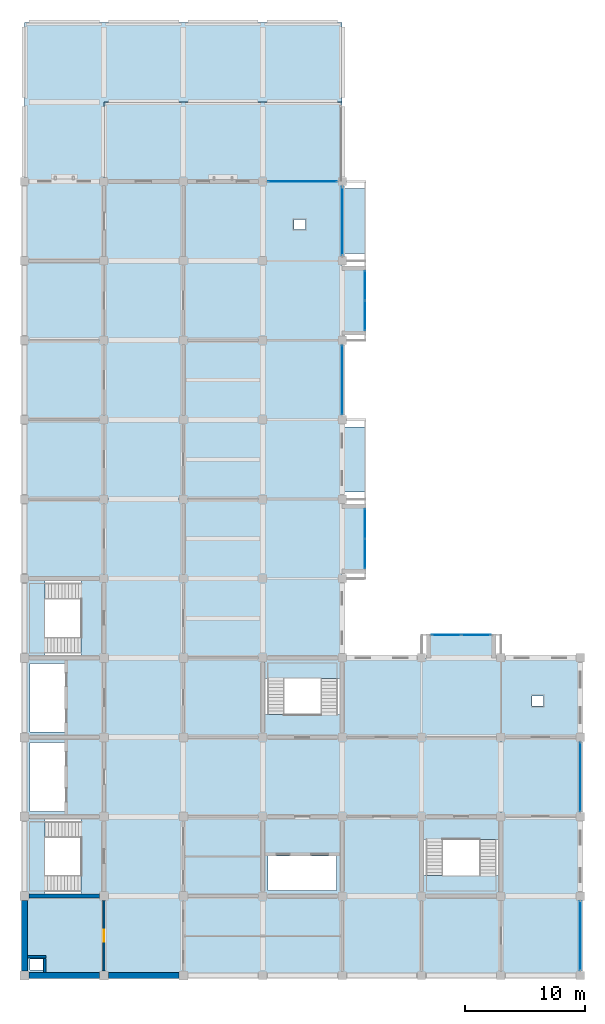
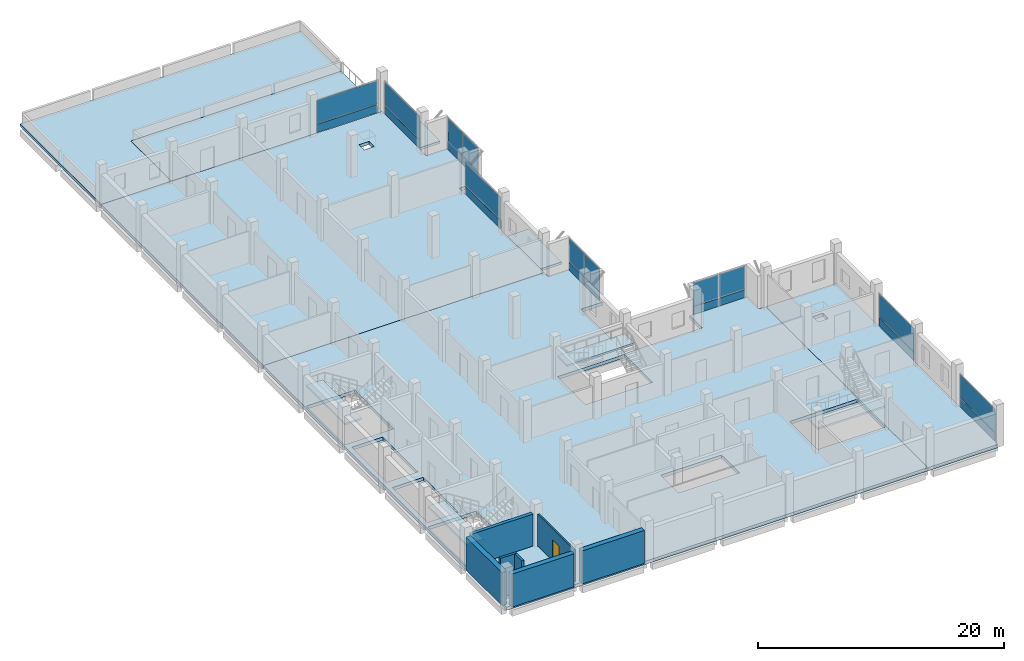
# One storey, part 6 of 13: 22 plates, 11 slabs, 7 walls, 1 door, 1 opening, 12 elements without a shape of their own.
"""IFC4 building model written with IfcOpenShell, lengths in metres."""

from ifc_helpers import new_model, si_unit, direction, frame, frame_2d, origin, origin_2d, place, context, subcontext, project, spatial, polyline, rectangle, outline, extrude, material, layer, layer_set, type_object, element, fill, aggregate, save


model = new_model("IFC4")

# Units and contexts
model_context = context("Model", 3, precision=1e-05, world=origin(), true_north=direction((0.0, 1.0)))
body_context = subcontext(model_context, "Body", "Model", "MODEL_VIEW")
ifc_project = project(units=[si_unit("LENGTHUNIT", "METRE"), si_unit("AREAUNIT", "SQUARE_METRE"), si_unit("VOLUMEUNIT", "CUBIC_METRE"), si_unit("PLANEANGLEUNIT", "RADIAN"), si_unit("MASSUNIT", "GRAM", prefix="KILO")], contexts=[model_context])

# Site, building, storey
site_placement = place(None, origin())
site = spatial("IfcSite", under=ifc_project, at=site_placement, CompositionType="ELEMENT")
building_placement = place(site_placement, origin())
building = spatial("IfcBuilding", under=site, at=building_placement, Name="Rusizi Kubbe Research Institute", CompositionType="ELEMENT")
storey_placement = place(building_placement, frame((0.0, 0.0, 35.39990234375)))
storey = spatial("IfcBuildingStorey", under=building, at=storey_placement, Name="L08", CompositionType="ELEMENT", Elevation=35.39990234375)

# Curtain wall, plate
ifc_material_1 = material(Name="Thermally Broken Aluminium and Low-E Glazing", Category="aluminium")
curtain_wall_type_1 = type_object("IfcCurtainWallType", Name="CW-11", PredefinedType="NOTDEFINED", material=ifc_material_1)
curtain_wall_1_placement = place(storey_placement, origin())
curtain_wall_1 = element("IfcCurtainWall", 1, at=curtain_wall_1_placement, inside=storey, type_object=curtain_wall_type_1, Name="Unitised Facade Curtain Wall CW-L08-V-07-00", PredefinedType="NOTDEFINED")
ifc_material_2 = material(Name="Double Low-E Solar Control Insulated Glass", Category="glass")
ifc_layer_1 = layer(ifc_material_2, 0.02392578125)
ifc_layer_set_1 = layer_set([ifc_layer_1], Name="Double Low-E Solar Control Insulated Glass")
plate_type_1 = type_object("IfcPlateType", Name="GL-01", PredefinedType="CURTAIN_PANEL", material=ifc_layer_set_1)
plate_1_placement = place(storey_placement, frame((46.199951171875, 3.300048828125, 0.93017578125), z_axis=(0.0, 0.0, 1.0), x_axis=(0.0, 1.0, 0.0)))
plate_1 = element("IfcPlate", 2, at=plate_1_placement, type_object=plate_type_1, Name="CW-11 panel 1.2", PredefinedType="CURTAIN_PANEL", context=body_context, shape_type="SweptSolid", body=[
    extrude(rectangle(XDim=5.719970703125, YDim=0.02392578125, at=origin_2d()), origin(), (0.0, 0.0, 1.0), 2.2900390625),
])

curtain_wall_2_placement = place(storey_placement, origin())
curtain_wall_2 = element("IfcCurtainWall", 3, at=curtain_wall_2_placement, inside=storey, type_object=curtain_wall_type_1, Name="Unitised Facade Curtain Wall CW-L08-V-07-02", PredefinedType="NOTDEFINED")
ifc_material_3 = material(Name="Double Low-E Solar Control Insulated Glass", Category="glass")
ifc_layer_2 = layer(ifc_material_3, 0.028076171875)
ifc_layer_set_2 = layer_set([ifc_layer_2], Name="Double Low-E Solar Control Insulated Glass")
plate_type_2 = type_object("IfcPlateType", Name="GL-02", PredefinedType="CURTAIN_PANEL", material=ifc_layer_set_2)
plate_2_placement = place(storey_placement, frame((46.199951171875, 16.5, 0.93017578125), z_axis=(0.0, 0.0, 1.0), x_axis=(0.0, 1.0, 0.0)))
plate_2 = element("IfcPlate", 4, at=plate_2_placement, type_object=plate_type_2, Name="CW-11 panel 1.2", PredefinedType="CURTAIN_PANEL", context=body_context, shape_type="SweptSolid", body=[
    extrude(rectangle(XDim=5.719970703125, YDim=0.028076171875, at=origin_2d()), origin(), (0.0, 0.0, 1.0), 2.2900390625),
])

# Curtain wall, plates
ifc_material_4 = material(Name="Thermally Broken Aluminium and Low-E Glazing", Category="aluminium")
curtain_wall_type_2 = type_object("IfcCurtainWallType", Name="CW-03", PredefinedType="NOTDEFINED", material=ifc_material_4)
curtain_wall_3_placement = place(storey_placement, origin())
curtain_wall_3 = element("IfcCurtainWall", 5, at=curtain_wall_3_placement, inside=storey, type_object=curtain_wall_type_2, Name="Cumba Glazed Curtain Wall CW-CUMBA-L08-090", PredefinedType="NOTDEFINED")
ifc_material_5 = material(Name="Double Low-E Solar Control Insulated Glass", Category="glass")
ifc_layer_3 = layer(ifc_material_5, 0.031982421875)
ifc_layer_set_3 = layer_set([ifc_layer_3], Name="Double Low-E Solar Control Insulated Glass")
plate_type_3 = type_object("IfcPlateType", Name="GL-03", PredefinedType="CURTAIN_PANEL", material=ifc_layer_set_3)
plate_3_placement = place(storey_placement, frame((28.300048828125, 35.05615234375, 0.9326171875), z_axis=(0.0, 0.0, 1.0), x_axis=(0.0, 1.0, 0.0)))
plate_3 = element("IfcPlate", 6, at=plate_3_placement, type_object=plate_type_3, Name="CW-03 panel 1.2", PredefinedType="CURTAIN_PANEL", context=body_context, shape_type="SweptSolid", body=[
    extrude(rectangle(XDim=2.427490234375, YDim=0.031982421875, at=origin_2d()), origin(), (0.0, 0.0, 1.0), 2.282470703125),
])
plate_4_placement = place(storey_placement, frame((28.300048828125, 37.543701171875, 0.9326171875), z_axis=(0.0, 0.0, 1.0), x_axis=(0.0, 1.0, 0.0)))
plate_4 = element("IfcPlate", 7, at=plate_4_placement, type_object=plate_type_3, Name="CW-03 panel 2.2", PredefinedType="CURTAIN_PANEL", context=body_context, shape_type="SweptSolid", body=[
    extrude(rectangle(XDim=2.427490234375, YDim=0.031982421875, at=origin_2d()), origin(), (0.0, 0.0, 1.0), 2.282470703125),
])

# Curtain wall, plate
curtain_wall_4_placement = place(storey_placement, origin())
curtain_wall_4 = element("IfcCurtainWall", 8, at=curtain_wall_4_placement, inside=storey, type_object=curtain_wall_type_1, Name="Unitised Facade Curtain Wall CW-L08-V-04-07", PredefinedType="NOTDEFINED")
ifc_material_6 = material(Name="Double Low-E Solar Control Insulated Glass", Category="glass")
ifc_layer_4 = layer(ifc_material_6, 0.035888671875)
ifc_layer_set_4 = layer_set([ifc_layer_4], Name="Double Low-E Solar Control Insulated Glass")
plate_type_4 = type_object("IfcPlateType", Name="GL-04", PredefinedType="CURTAIN_PANEL", material=ifc_layer_set_4)
plate_5_placement = place(storey_placement, frame((26.39990234375, 49.5, 0.93505859375), z_axis=(0.0, 0.0, 1.0), x_axis=(0.0, 1.0, 0.0)))
plate_5 = element("IfcPlate", 9, at=plate_5_placement, type_object=plate_type_4, Name="CW-11 panel 1.2", PredefinedType="CURTAIN_PANEL", context=body_context, shape_type="SweptSolid", body=[
    extrude(rectangle(XDim=5.719970703125, YDim=0.035888671875, at=origin_2d()), origin(), (0.0, 0.0, 1.0), 2.27490234375),
])

# Curtain wall, plates
curtain_wall_5_placement = place(storey_placement, origin())
curtain_wall_5 = element("IfcCurtainWall", 10, at=curtain_wall_5_placement, inside=storey, type_object=curtain_wall_type_2, Name="Cumba Glazed Curtain Wall CW-CUMBA-L08-092", PredefinedType="NOTDEFINED")
ifc_material_7 = material(Name="Double Low-E Solar Control Insulated Glass", Category="glass")
ifc_layer_5 = layer(ifc_material_7, 0.0400390625)
ifc_layer_set_5 = layer_set([ifc_layer_5], Name="Double Low-E Solar Control Insulated Glass")
plate_type_5 = type_object("IfcPlateType", Name="GL-05", PredefinedType="CURTAIN_PANEL", material=ifc_layer_set_5)
plate_6_placement = place(storey_placement, frame((28.300048828125, 54.857421875, 0.93017578125), z_axis=(0.0, 0.0, 1.0), x_axis=(0.0, 1.0, 0.0)))
plate_6 = element("IfcPlate", 11, at=plate_6_placement, type_object=plate_type_5, Name="CW-03 panel 1.2", PredefinedType="CURTAIN_PANEL", context=body_context, shape_type="SweptSolid", body=[
    extrude(rectangle(XDim=2.419921875, YDim=0.0400390625, at=origin_2d()), origin(), (0.0, 0.0, 1.0), 2.2900390625),
])
plate_7_placement = place(storey_placement, frame((28.300048828125, 57.342529296875, 0.93017578125), z_axis=(0.0, 0.0, 1.0), x_axis=(0.0, 1.0, 0.0)))
plate_7 = element("IfcPlate", 12, at=plate_7_placement, type_object=plate_type_5, Name="CW-03 panel 2.2", PredefinedType="CURTAIN_PANEL", context=body_context, shape_type="SweptSolid", body=[
    extrude(rectangle(XDim=2.419921875, YDim=0.0400390625, at=origin_2d()), origin(), (0.0, 0.0, 1.0), 2.2900390625),
])

# Curtain wall, plate
curtain_wall_6_placement = place(storey_placement, origin())
curtain_wall_6 = element("IfcCurtainWall", 13, at=curtain_wall_6_placement, inside=storey, type_object=curtain_wall_type_1, Name="Unitised Facade Curtain Wall CW-L08-H-03-10", PredefinedType="NOTDEFINED")
ifc_material_8 = material(Name="Double Low-E Solar Control Insulated Glass", Category="glass")
ifc_layer_6 = layer(ifc_material_8, 0.0439453125)
ifc_layer_set_6 = layer_set([ifc_layer_6], Name="Double Low-E Solar Control Insulated Glass")
plate_type_6 = type_object("IfcPlateType", Name="GL-06", PredefinedType="CURTAIN_PANEL", material=ifc_layer_set_6)
plate_8_placement = place(storey_placement, frame((23.10009765625, 66.0, 0.93017578125), z_axis=(0.0, 0.0, 1.0), x_axis=(1.0, 0.0, 0.0)))
plate_8 = element("IfcPlate", 14, at=plate_8_placement, type_object=plate_type_6, Name="CW-11 panel 1.2", PredefinedType="CURTAIN_PANEL", context=body_context, shape_type="SweptSolid", body=[
    extrude(rectangle(XDim=5.699951171875, YDim=0.0439453125, at=origin_2d()), origin(), (0.0, 0.0, 1.0), 2.2900390625),
])

curtain_wall_7_placement = place(storey_placement, origin())
curtain_wall_7 = element("IfcCurtainWall", 15, at=curtain_wall_7_placement, inside=storey, type_object=curtain_wall_type_1, Name="Unitised Facade Curtain Wall CW-L08-V-04-09", PredefinedType="NOTDEFINED")
ifc_material_9 = material(Name="Double Low-E Solar Control Insulated Glass", Category="glass")
ifc_layer_7 = layer(ifc_material_9, 0.048095703125)
ifc_layer_set_7 = layer_set([ifc_layer_7], Name="Double Low-E Solar Control Insulated Glass")
plate_type_7 = type_object("IfcPlateType", Name="GL-07", PredefinedType="CURTAIN_PANEL", material=ifc_layer_set_7)
plate_9_placement = place(storey_placement, frame((26.39990234375, 62.699951171875, 0.9326171875), z_axis=(0.0, 0.0, 1.0), x_axis=(0.0, 1.0, 0.0)))
plate_9 = element("IfcPlate", 16, at=plate_9_placement, type_object=plate_type_7, Name="CW-11 panel 1.2", PredefinedType="CURTAIN_PANEL", context=body_context, shape_type="SweptSolid", body=[
    extrude(rectangle(XDim=5.68994140625, YDim=0.048095703125, at=origin_2d()), origin(), (0.0, 0.0, 1.0), 2.282470703125),
])

# Curtain wall, plates
curtain_wall_8_placement = place(storey_placement, origin())
curtain_wall_8 = element("IfcCurtainWall", 17, at=curtain_wall_8_placement, inside=storey, type_object=curtain_wall_type_2, Name="Cumba Glazed Curtain Wall CW-CUMBA-L08-095", PredefinedType="NOTDEFINED")
ifc_material_10 = material(Name="Double Low-E Solar Control Insulated Glass", Category="glass")
ifc_layer_8 = layer(ifc_material_10, 0.052001953125)
ifc_layer_set_8 = layer_set([ifc_layer_8], Name="Double Low-E Solar Control Insulated Glass")
plate_type_8 = type_object("IfcPlateType", Name="GL-08", PredefinedType="CURTAIN_PANEL", material=ifc_layer_set_8)
plate_10_placement = place(storey_placement, frame((35.061279296875, 28.300048828125, 0.93505859375), z_axis=(0.0, 0.0, 1.0), x_axis=(1.0, 0.0, 0.0)))
plate_10 = element("IfcPlate", 18, at=plate_10_placement, type_object=plate_type_8, Name="CW-03 panel 1.2", PredefinedType="CURTAIN_PANEL", context=body_context, shape_type="SweptSolid", body=[
    extrude(rectangle(XDim=2.3974609375, YDim=0.052001953125, at=origin_2d()), origin(), (0.0, 0.0, 1.0), 2.27490234375),
])
plate_11_placement = place(storey_placement, frame((37.538818359375, 28.300048828125, 0.93505859375), z_axis=(0.0, 0.0, 1.0), x_axis=(1.0, 0.0, 0.0)))
plate_11 = element("IfcPlate", 19, at=plate_11_placement, type_object=plate_type_8, Name="CW-03 panel 2.2", PredefinedType="CURTAIN_PANEL", context=body_context, shape_type="SweptSolid", body=[
    extrude(rectangle(XDim=2.3974609375, YDim=0.052001953125, at=origin_2d()), origin(), (0.0, 0.0, 1.0), 2.27490234375),
])

# Slabs
ifc_material_11 = material(Name="Concrete C40/50", Category="concrete")
ifc_layer_9 = layer(ifc_material_11, 0.320068359375)
ifc_layer_set_9 = layer_set([ifc_layer_9], Name="Concrete C40/50")
slab_type_1 = type_object("IfcSlabType", Name="SL-F320", PredefinedType="FLOOR", material=ifc_layer_set_9)
slab_1_placement = place(storey_placement, frame((0.0, 0.0, -0.31982421875)))
element("IfcSlab", 20, at=slab_1_placement, inside=storey, type_object=slab_type_1, Name="Structural Slab L08 CORE", PredefinedType="FLOOR", context=body_context, shape_type="SweptSolid", body=[
    extrude(outline(polyline([(0.0, 39.60009765625), (6.60009765625, 39.60009765625), (13.199951171875, 39.60009765625), (19.800048828125, 39.60009765625), (26.39990234375, 39.60009765625), (26.39990234375, 39.0), (28.39990234375, 39.0), (28.39990234375, 33.60009765625), (26.39990234375, 33.60009765625), (26.39990234375, 33.0), (26.39990234375, 26.39990234375), (33.0, 26.39990234375), (33.60009765625, 26.39990234375), (33.60009765625, 28.39990234375), (39.0, 28.39990234375), (39.0, 26.39990234375), (39.60009765625, 26.39990234375), (39.60009765625, 19.800048828125), (39.60009765625, 13.199951171875), (39.60009765625, 6.60009765625), (39.60009765625, 0.0), (33.0, 0.0), (26.39990234375, 0.0), (19.800048828125, 0.0), (13.199951171875, 0.0), (6.60009765625, 0.0), (0.0, 0.0), (0.0, 6.60009765625), (0.0, 13.199951171875), (0.0, 19.800048828125), (0.0, 26.39990234375), (0.0, 33.0), (0.0, 39.60009765625)]), holes=[polyline([(0.449951171875, 1.35009765625), (0.449951171875, 0.449951171875), (1.550048828125, 0.449951171875), (1.550048828125, 1.35009765625), (0.449951171875, 1.35009765625)]), polyline([(20.25, 9.949951171875), (20.25, 7.050048828125), (25.949951171875, 7.050048828125), (25.949951171875, 9.949951171875), (20.25, 9.949951171875)]), polyline([(33.139892578125, 11.300048828125), (33.139892578125, 6.739990234375), (39.4599609375, 6.739990234375), (39.4599609375, 11.300048828125), (33.139892578125, 11.300048828125)]), polyline([(0.139892578125, 13.06005859375), (0.139892578125, 6.739990234375), (4.699951171875, 6.739990234375), (4.699951171875, 13.06005859375), (0.139892578125, 13.06005859375)]), polyline([(0.449951171875, 19.35009765625), (0.449951171875, 13.64990234375), (3.35009765625, 13.64990234375), (3.35009765625, 19.35009765625), (0.449951171875, 19.35009765625)]), polyline([(0.449951171875, 25.949951171875), (0.449951171875, 20.25), (3.35009765625, 20.25), (3.35009765625, 25.949951171875), (0.449951171875, 25.949951171875)]), polyline([(19.93994140625, 26.260009765625), (19.93994140625, 21.699951171875), (26.260009765625, 21.699951171875), (26.260009765625, 26.260009765625), (19.93994140625, 26.260009765625)]), polyline([(0.139892578125, 32.860107421875), (0.139892578125, 26.5400390625), (4.699951171875, 26.5400390625), (4.699951171875, 32.860107421875), (0.139892578125, 32.860107421875)])]), origin(), (0.0, 0.0, 1.0), 0.31982421875),
])
slab_2_placement = place(storey_placement, frame((0.0, 0.0, -0.31982421875)))
element("IfcSlab", 21, at=slab_2_placement, inside=storey, type_object=slab_type_1, Name="Structural Slab L08 NORTHA", PredefinedType="FLOOR", context=body_context, shape_type="SweptSolid", body=[
    extrude(outline(polyline([(6.60009765625, 66.0), (13.199951171875, 66.0), (19.800048828125, 66.0), (26.39990234375, 66.0), (26.39990234375, 59.39990234375), (26.39990234375, 58.800048828125), (28.39990234375, 58.800048828125), (28.39990234375, 53.39990234375), (26.39990234375, 53.39990234375), (26.39990234375, 52.800048828125), (26.39990234375, 46.199951171875), (26.39990234375, 39.60009765625), (19.800048828125, 39.60009765625), (13.199951171875, 39.60009765625), (6.60009765625, 39.60009765625), (0.0, 39.60009765625), (0.0, 46.199951171875), (0.0, 52.800048828125), (0.0, 59.39990234375), (0.0, 66.0), (6.60009765625, 66.0)]), holes=[polyline([(23.35009765625, 62.85009765625), (22.39990234375, 62.85009765625), (22.39990234375, 62.0), (23.35009765625, 62.0), (23.35009765625, 62.85009765625)])]), origin(), (0.0, 0.0, 1.0), 0.31982421875),
])
slab_3_placement = place(storey_placement, frame((0.0, 0.0, -0.31982421875)))
element("IfcSlab", 22, at=slab_3_placement, inside=storey, type_object=slab_type_1, Name="Structural Slab L08 EAST", PredefinedType="FLOOR", context=body_context, shape_type="SweptSolid", body=[
    extrude(outline(polyline([(39.60009765625, 6.60009765625), (39.60009765625, 13.199951171875), (39.60009765625, 19.800048828125), (39.60009765625, 26.39990234375), (46.199951171875, 26.39990234375), (46.199951171875, 19.800048828125), (46.199951171875, 13.199951171875), (46.199951171875, 6.60009765625), (46.199951171875, 0.0), (39.60009765625, 0.0), (39.60009765625, 6.60009765625)]), holes=[polyline([(42.199951171875, 23.25), (42.199951171875, 22.39990234375), (43.14990234375, 22.39990234375), (43.14990234375, 23.25), (42.199951171875, 23.25)])]), origin(), (0.0, 0.0, 1.0), 0.31982421875),
])

# Stair, slab
ifc_material_12 = material(Name="Concrete C40/50", Category="concrete")
stair_type_1 = type_object("IfcStairType", Name="ST-H420A", PredefinedType="HALF_TURN_STAIR", material=ifc_material_12)
stair_1_placement = place(storey_placement, origin())
stair_1 = element("IfcStair", 23, at=stair_1_placement, inside=storey, type_object=stair_type_1, Name="Protected Exit Stair ST1 (L08)", PredefinedType="HALF_TURN_STAIR")
ifc_material_13 = material(Name="Concrete C40/50", Category="concrete")
ifc_layer_10 = layer(ifc_material_13, 0.179931640625)
ifc_layer_set_10 = layer_set([ifc_layer_10], Name="Concrete C40/50")
slab_type_2 = type_object("IfcSlabType", Name="SL-L180", PredefinedType="LANDING", material=ifc_layer_set_10)
slab_4_placement = place(storey_placement, frame((0.0, 0.0, 1.920166015625)))
slab_4 = element("IfcSlab", 24, at=slab_4_placement, type_object=slab_type_2, Name="ST1 landing 1", PredefinedType="LANDING", context=body_context, shape_type="SweptSolid", body=[
    extrude(outline(polyline([(1.7060546875, 13.06005859375), (0.139892578125, 13.06005859375), (0.139892578125, 6.739990234375), (1.7060546875, 6.739990234375), (1.7060546875, 13.06005859375)])), origin(), (0.0, 0.0, 1.0), 0.179931640625),
])
aggregate(stair_1, [slab_4])

stair_2_placement = place(storey_placement, origin())
stair_2 = element("IfcStair", 25, at=stair_2_placement, inside=storey, type_object=stair_type_1, Name="Protected Exit Stair ST2 (L08)", PredefinedType="HALF_TURN_STAIR")
slab_5_placement = place(storey_placement, frame((0.0, 0.0, 1.920166015625)))
slab_5 = element("IfcSlab", 26, at=slab_5_placement, type_object=slab_type_2, Name="ST2 landing 1", PredefinedType="LANDING", context=body_context, shape_type="SweptSolid", body=[
    extrude(outline(polyline([(1.7060546875, 32.860107421875), (0.139892578125, 32.860107421875), (0.139892578125, 26.5400390625), (1.7060546875, 26.5400390625), (1.7060546875, 32.860107421875)])), origin(), (0.0, 0.0, 1.0), 0.179931640625),
])
aggregate(stair_2, [slab_5])

ifc_material_14 = material(Name="Concrete C40/50", Category="concrete")
stair_type_2 = type_object("IfcStairType", Name="ST-H420B", PredefinedType="HALF_TURN_STAIR", material=ifc_material_14)
stair_3_placement = place(storey_placement, origin())
stair_3 = element("IfcStair", 27, at=stair_3_placement, inside=storey, type_object=stair_type_2, Name="Protected Exit Stair ST3 (L08)", PredefinedType="HALF_TURN_STAIR")
slab_6_placement = place(storey_placement, frame((0.0, 0.0, 1.920166015625)))
slab_6 = element("IfcSlab", 28, at=slab_6_placement, type_object=slab_type_2, Name="ST3 landing 1", PredefinedType="LANDING", context=body_context, shape_type="SweptSolid", body=[
    extrude(outline(polyline([(26.260009765625, 24.694091796875), (26.260009765625, 26.260009765625), (19.93994140625, 26.260009765625), (19.93994140625, 24.694091796875), (26.260009765625, 24.694091796875)])), origin(), (0.0, 0.0, 1.0), 0.179931640625),
])
aggregate(stair_3, [slab_6])

stair_4_placement = place(storey_placement, origin())
stair_4 = element("IfcStair", 29, at=stair_4_placement, inside=storey, type_object=stair_type_2, Name="Protected Exit Stair ST4 (L08)", PredefinedType="HALF_TURN_STAIR")
slab_7_placement = place(storey_placement, frame((0.0, 0.0, 1.920166015625)))
slab_7 = element("IfcSlab", 30, at=slab_7_placement, type_object=slab_type_2, Name="ST4 landing 1", PredefinedType="LANDING", context=body_context, shape_type="SweptSolid", body=[
    extrude(outline(polyline([(33.139892578125, 8.305908203125), (33.139892578125, 6.739990234375), (39.4599609375, 6.739990234375), (39.4599609375, 8.305908203125), (33.139892578125, 8.305908203125)])), origin(), (0.0, 0.0, 1.0), 0.179931640625),
])
aggregate(stair_4, [slab_7])

# Slabs
ifc_material_15 = material(Name="Concrete C40/50", Category="concrete")
ifc_layer_11 = layer(ifc_material_15, 0.235107421875)
ifc_layer_set_11 = layer_set([ifc_layer_11], Name="Concrete C40/50")
slab_type_3 = type_object("IfcSlabType", Name="SL-R235", PredefinedType="ROOF", material=ifc_layer_set_11)
slab_8_placement = place(storey_placement, frame((0.0, 0.0, -0.23486328125)))
element("IfcSlab", 31, at=slab_8_placement, inside=storey, type_object=slab_type_3, Name="Cumba Oriel Roof Cap L07 (4,6)", PredefinedType="ROOF", context=body_context, shape_type="SweptSolid", body=[
    extrude(outline(polyline([(26.39990234375, 40.199951171875), (28.39990234375, 40.199951171875), (28.39990234375, 45.60009765625), (26.39990234375, 45.60009765625), (26.39990234375, 40.199951171875)])), origin(), (0.0, 0.0, 1.0), 0.23486328125),
])
slab_9_placement = place(storey_placement, frame((0.0, 0.0, -0.23486328125)))
element("IfcSlab", 32, at=slab_9_placement, inside=storey, type_object=slab_type_3, Name="Cumba Oriel Roof Cap L07 (4,9)", PredefinedType="ROOF", context=body_context, shape_type="SweptSolid", body=[
    extrude(outline(polyline([(26.39990234375, 60.0), (28.39990234375, 60.0), (28.39990234375, 65.39990234375), (26.39990234375, 65.39990234375), (26.39990234375, 60.0)])), origin(), (0.0, 0.0, 1.0), 0.23486328125),
])
ifc_material_16 = material(Name="Concrete C40/50", Category="concrete")
ifc_layer_12 = layer(ifc_material_16, 0.260009765625)
ifc_layer_set_12 = layer_set([ifc_layer_12], Name="Concrete C40/50")
slab_type_4 = type_object("IfcSlabType", Name="SL-R260", PredefinedType="ROOF", material=ifc_layer_set_12)
slab_10_placement = place(storey_placement, frame((0.0, 0.0, -0.260009765625)))
element("IfcSlab", 33, at=slab_10_placement, inside=storey, type_object=slab_type_4, Name="Stepback Maintenance Roof Slab L08-1", PredefinedType="ROOF", context=body_context, shape_type="SweptSolid", body=[
    extrude(outline(polyline([(0.0, 72.60009765625), (0.0, 79.199951171875), (6.60009765625, 79.199951171875), (13.199951171875, 79.199951171875), (19.800048828125, 79.199951171875), (26.39990234375, 79.199951171875), (26.39990234375, 72.60009765625), (19.800048828125, 72.60009765625), (13.199951171875, 72.60009765625), (6.60009765625, 72.60009765625), (6.60009765625, 66.0048828125), (0.0, 66.0048828125), (0.0, 72.60009765625)])), origin(), (0.0, 0.0, 1.0), 0.260009765625),
])
ifc_material_17 = material(Name="Concrete C40/50", Category="concrete")
ifc_layer_13 = layer(ifc_material_17, 0.2451171875)
ifc_layer_set_13 = layer_set([ifc_layer_13], Name="Concrete C40/50")
slab_type_5 = type_object("IfcSlabType", Name="SL-T245", PredefinedType="FLOOR", material=ifc_layer_set_13)
slab_11_placement = place(storey_placement, frame((0.0, 0.0, -0.244873046875)))
element("IfcSlab", 34, at=slab_11_placement, inside=storey, type_object=slab_type_5, Name="Walkable Roof Terrace Slab L08-1", PredefinedType="FLOOR", context=body_context, shape_type="SweptSolid", body=[
    extrude(outline(polyline([(6.60009765625, 72.60009765625), (13.199951171875, 72.60009765625), (19.800048828125, 72.60009765625), (26.39990234375, 72.60009765625), (26.39990234375, 66.0048828125), (6.60009765625, 66.0048828125), (6.60009765625, 72.60009765625)])), origin(), (0.0, 0.0, 1.0), 0.244873046875),
])

# Plate
ifc_material_18 = material(Name="Ceramic-Frit Insulated Spandrel Panel", Category="glass")
ifc_layer_14 = layer(ifc_material_18, 0.05810546875)
ifc_layer_set_14 = layer_set([ifc_layer_14], Name="Ceramic-Frit Insulated Spandrel Panel")
plate_type_9 = type_object("IfcPlateType", Name="SP-01", PredefinedType="CURTAIN_PANEL", material=ifc_layer_set_14)
plate_12_placement = place(storey_placement, frame((28.300048828125, 54.857421875, 0.06005859375), z_axis=(0.0, 0.0, 1.0), x_axis=(0.0, 1.0, 0.0)))
plate_12 = element("IfcPlate", 35, at=plate_12_placement, type_object=plate_type_9, Name="CW-03 panel 1.1", PredefinedType="CURTAIN_PANEL", context=body_context, shape_type="SweptSolid", body=[
    extrude(rectangle(XDim=2.419921875, YDim=0.05810546875, at=origin_2d()), origin(), (0.0, 0.0, 1.0), 0.81005859375),
])

plate_13_placement = place(storey_placement, frame((28.300048828125, 57.342529296875, 0.06005859375), z_axis=(0.0, 0.0, 1.0), x_axis=(0.0, 1.0, 0.0)))
plate_13 = element("IfcPlate", 36, at=plate_13_placement, type_object=plate_type_9, Name="CW-03 panel 2.1", PredefinedType="CURTAIN_PANEL", context=body_context, shape_type="SweptSolid", body=[
    extrude(rectangle(XDim=2.419921875, YDim=0.05810546875, at=origin_2d()), origin(), (0.0, 0.0, 1.0), 0.81005859375),
])

aggregate(curtain_wall_5, [plate_12, plate_6, plate_13, plate_7])

plate_14_placement = place(storey_placement, frame((46.199951171875, 3.300048828125, 0.06005859375), z_axis=(0.0, 0.0, 1.0), x_axis=(0.0, 1.0, 0.0)))
plate_14 = element("IfcPlate", 37, at=plate_14_placement, type_object=plate_type_9, Name="CW-11 panel 1.1", PredefinedType="CURTAIN_PANEL", context=body_context, shape_type="SweptSolid", body=[
    extrude(rectangle(XDim=5.719970703125, YDim=0.05810546875, at=origin_2d()), origin(), (0.0, 0.0, 1.0), 0.81005859375),
])

aggregate(curtain_wall_1, [plate_14, plate_1])

ifc_material_19 = material(Name="Ceramic-Frit Insulated Spandrel Panel", Category="glass")
ifc_layer_15 = layer(ifc_material_19, 0.06396484375)
ifc_layer_set_15 = layer_set([ifc_layer_15], Name="Ceramic-Frit Insulated Spandrel Panel")
plate_type_10 = type_object("IfcPlateType", Name="SP-02", PredefinedType="CURTAIN_PANEL", material=ifc_layer_set_15)
plate_15_placement = place(storey_placement, frame((23.10009765625, 66.0, 0.06005859375), z_axis=(0.0, 0.0, 1.0), x_axis=(1.0, 0.0, 0.0)))
plate_15 = element("IfcPlate", 38, at=plate_15_placement, type_object=plate_type_10, Name="CW-11 panel 1.1", PredefinedType="CURTAIN_PANEL", context=body_context, shape_type="SweptSolid", body=[
    extrude(rectangle(XDim=5.699951171875, YDim=0.06396484375, at=origin_2d()), origin(), (0.0, 0.0, 1.0), 0.81005859375),
])

aggregate(curtain_wall_6, [plate_15, plate_8])

plate_16_placement = place(storey_placement, frame((46.199951171875, 16.5, 0.06005859375), z_axis=(0.0, 0.0, 1.0), x_axis=(0.0, 1.0, 0.0)))
plate_16 = element("IfcPlate", 39, at=plate_16_placement, type_object=plate_type_10, Name="CW-11 panel 1.1", PredefinedType="CURTAIN_PANEL", context=body_context, shape_type="SweptSolid", body=[
    extrude(rectangle(XDim=5.719970703125, YDim=0.06396484375, at=origin_2d()), origin(), (0.0, 0.0, 1.0), 0.81005859375),
])

aggregate(curtain_wall_2, [plate_16, plate_2])

ifc_material_20 = material(Name="Ceramic-Frit Insulated Spandrel Panel", Category="glass")
ifc_layer_16 = layer(ifc_material_20, 0.070068359375)
ifc_layer_set_16 = layer_set([ifc_layer_16], Name="Ceramic-Frit Insulated Spandrel Panel")
plate_type_11 = type_object("IfcPlateType", Name="SP-03", PredefinedType="CURTAIN_PANEL", material=ifc_layer_set_16)
plate_17_placement = place(storey_placement, frame((28.300048828125, 35.05615234375, 0.06494140625), z_axis=(0.0, 0.0, 1.0), x_axis=(0.0, 1.0, 0.0)))
plate_17 = element("IfcPlate", 40, at=plate_17_placement, type_object=plate_type_11, Name="CW-03 panel 1.1", PredefinedType="CURTAIN_PANEL", context=body_context, shape_type="SweptSolid", body=[
    extrude(rectangle(XDim=2.427490234375, YDim=0.070068359375, at=origin_2d()), origin(), (0.0, 0.0, 1.0), 0.802490234375),
])

plate_18_placement = place(storey_placement, frame((28.300048828125, 37.543701171875, 0.06494140625), z_axis=(0.0, 0.0, 1.0), x_axis=(0.0, 1.0, 0.0)))
plate_18 = element("IfcPlate", 41, at=plate_18_placement, type_object=plate_type_11, Name="CW-03 panel 2.1", PredefinedType="CURTAIN_PANEL", context=body_context, shape_type="SweptSolid", body=[
    extrude(rectangle(XDim=2.427490234375, YDim=0.070068359375, at=origin_2d()), origin(), (0.0, 0.0, 1.0), 0.802490234375),
])

aggregate(curtain_wall_3, [plate_17, plate_3, plate_18, plate_4])

plate_19_placement = place(storey_placement, frame((26.39990234375, 62.699951171875, 0.06494140625), z_axis=(0.0, 0.0, 1.0), x_axis=(0.0, 1.0, 0.0)))
plate_19 = element("IfcPlate", 42, at=plate_19_placement, type_object=plate_type_11, Name="CW-11 panel 1.1", PredefinedType="CURTAIN_PANEL", context=body_context, shape_type="SweptSolid", body=[
    extrude(rectangle(XDim=5.68994140625, YDim=0.070068359375, at=origin_2d()), origin(), (0.0, 0.0, 1.0), 0.802490234375),
])

aggregate(curtain_wall_7, [plate_19, plate_9])

ifc_material_21 = material(Name="Ceramic-Frit Insulated Spandrel Panel", Category="glass")
ifc_layer_17 = layer(ifc_material_21, 0.075927734375)
ifc_layer_set_17 = layer_set([ifc_layer_17], Name="Ceramic-Frit Insulated Spandrel Panel")
plate_type_12 = type_object("IfcPlateType", Name="SP-04", PredefinedType="CURTAIN_PANEL", material=ifc_layer_set_17)
plate_20_placement = place(storey_placement, frame((26.39990234375, 49.5, 0.070068359375), z_axis=(0.0, 0.0, 1.0), x_axis=(0.0, 1.0, 0.0)))
plate_20 = element("IfcPlate", 43, at=plate_20_placement, type_object=plate_type_12, Name="CW-11 panel 1.1", PredefinedType="CURTAIN_PANEL", context=body_context, shape_type="SweptSolid", body=[
    extrude(rectangle(XDim=5.719970703125, YDim=0.075927734375, at=origin_2d()), origin(), (0.0, 0.0, 1.0), 0.794921875),
])

aggregate(curtain_wall_4, [plate_20, plate_5])

plate_21_placement = place(storey_placement, frame((35.061279296875, 28.300048828125, 0.070068359375), z_axis=(0.0, 0.0, 1.0), x_axis=(1.0, 0.0, 0.0)))
plate_21 = element("IfcPlate", 44, at=plate_21_placement, type_object=plate_type_12, Name="CW-03 panel 1.1", PredefinedType="CURTAIN_PANEL", context=body_context, shape_type="SweptSolid", body=[
    extrude(rectangle(XDim=2.3974609375, YDim=0.075927734375, at=origin_2d()), origin(), (0.0, 0.0, 1.0), 0.794921875),
])

plate_22_placement = place(storey_placement, frame((37.538818359375, 28.300048828125, 0.070068359375), z_axis=(0.0, 0.0, 1.0), x_axis=(1.0, 0.0, 0.0)))
plate_22 = element("IfcPlate", 45, at=plate_22_placement, type_object=plate_type_12, Name="CW-03 panel 2.1", PredefinedType="CURTAIN_PANEL", context=body_context, shape_type="SweptSolid", body=[
    extrude(rectangle(XDim=2.3974609375, YDim=0.075927734375, at=origin_2d()), origin(), (0.0, 0.0, 1.0), 0.794921875),
])

aggregate(curtain_wall_8, [plate_21, plate_10, plate_22, plate_11])

# Walls
ifc_material_22 = material(Name="Concrete C45/55", Category="concrete")
ifc_layer_18 = layer(ifc_material_22, 0.31494140625)
ifc_layer_set_18 = layer_set([ifc_layer_18], Name="Concrete C45/55")
wall_type_1 = type_object("IfcWallType", Name="CRW-02", PredefinedType="SHEAR", material=ifc_layer_set_18)
wall_1_placement = place(storey_placement, frame((0.375, 6.60009765625, 0.0), z_axis=(0.0, 0.0, 1.0), x_axis=(1.0, 0.0, 0.0)))
element("IfcWall", 46, at=wall_1_placement, inside=storey, type_object=wall_type_1, Name="Stair Core Shear Wall ST1 L08 S", PredefinedType="SHEAR", context=body_context, shape_type="SweptSolid", body=[
    extrude(rectangle(XDim=5.85009765625, YDim=0.31494140625, at=frame_2d((2.925048828125, 0.0))), origin(), (0.0, 0.0, 1.0), 3.18017578125),
])
ifc_material_23 = material(Name="Concrete Blockwork Fire Partition", Category="masonry")
ifc_layer_19 = layer(ifc_material_23, 0.22509765625)
ifc_layer_set_19 = layer_set([ifc_layer_19], Name="Concrete Blockwork Fire Partition")
wall_type_2 = type_object("IfcWallType", Name="IW-01", PredefinedType="PARTITIONING", material=ifc_layer_set_19)
wall_2_placement = place(storey_placement, frame((1.679931640625, 0.260009765625, 0.0), z_axis=(0.0, 0.0, 1.0), x_axis=(0.0, 1.0, 0.0)))
element("IfcWall", 47, at=wall_2_placement, inside=storey, type_object=wall_type_2, Name="Riser Shaft Wall E L08", PredefinedType="PARTITIONING", context=body_context, shape_type="SweptSolid", body=[
    extrude(rectangle(XDim=1.169921875, YDim=0.22509765625, at=frame_2d((0.5849609375, 0.0))), origin(), (0.0, 0.0, 1.0), 3.880126953125),
])
wall_3_placement = place(storey_placement, frame((0.260009765625, 1.550048828125, 0.0), z_axis=(0.0, 0.0, 1.0), x_axis=(1.0, 0.0, 0.0)))
element("IfcWall", 48, at=wall_3_placement, inside=storey, type_object=wall_type_2, Name="Riser Shaft Wall N L08", PredefinedType="PARTITIONING", context=body_context, shape_type="SweptSolid", body=[
    extrude(rectangle(XDim=1.5400390625, YDim=0.22509765625, at=frame_2d((0.77001953125, 0.0))), origin(), (0.0, 0.0, 1.0), 3.880126953125),
])

# Wall, opening, door
ifc_material_24 = material(Name="Fire-Rated Corridor Partition", Category="masonry")
ifc_layer_20 = layer(ifc_material_24, 0.155029296875)
ifc_layer_set_20 = layer_set([ifc_layer_20], Name="Fire-Rated Corridor Partition")
wall_type_3 = type_object("IfcWallType", Name="IW-04", PredefinedType="PARTITIONING", material=ifc_layer_set_20)
wall_4_placement = place(storey_placement, frame((6.60009765625, 0.375, 0.0), z_axis=(0.0, 0.0, 1.0), x_axis=(0.0, 1.0, 0.0)))
wall_4 = element("IfcWall", 49, at=wall_4_placement, inside=storey, type_object=wall_type_3, Name="Interior Partition Wall L08 V1-0", PredefinedType="PARTITIONING", context=body_context, shape_type="SweptSolid", body=[
    extrude(rectangle(XDim=5.85009765625, YDim=0.155029296875, at=frame_2d((2.925048828125, 0.0))), origin(), (0.0, 0.0, 1.0), 3.18017578125),
])
opening_placement = place(wall_4_placement, frame((2.425048828125, 0.0, 0.0)))
opening = element("IfcOpeningElement", 50, at=opening_placement, cuts=wall_4, Name="Opening D-04", PredefinedType="OPENING", context=body_context, shape_type="SweptSolid", body=[
    extrude(rectangle(XDim=1.0, YDim=2.10009765625, at=frame_2d((0.5, 1.050048828125))), frame((0.0, 0.08740234375, 0.0), z_axis=(0.0, -1.0, 0.0), x_axis=(1.0, 0.0, 0.0)), (0.0, 0.0, 1.0), 0.175048828125),
])
ifc_material_25 = material(Name="Fire-Rated Steel Frame and Acoustic Timber Leaf", Category="wood")
door_type = type_object("IfcDoorType", Name="ID-MEP-100", OperationType="NOTDEFINED", PredefinedType="DOOR", material=ifc_material_25)
door_placement = place(opening_placement, origin())
door = element("IfcDoor", 51, at=door_placement, inside=storey, type_object=door_type, Name="Door to Service Spine Utility Riser Room (L08-MEP-01)", OperationType="SINGLE_SWING_RIGHT", OverallHeight=2.10009765625, OverallWidth=1.0, PredefinedType="DOOR", context=body_context, shape_type="SweptSolid", body=[
    extrude(rectangle(XDim=1.0, YDim=2.10009765625, at=frame_2d((0.5, 1.050048828125))), frame((0.0, 0.02490234375, 0.0), z_axis=(0.0, -1.0, 0.0), x_axis=(1.0, 0.0, 0.0)), (0.0, 0.0, 1.0), 0.050048828125),
])
fill(opening, door)

# Walls
ifc_material_26 = material(Name="Concrete C40/50", Category="concrete")
ifc_layer_21 = layer(ifc_material_26, 0.4599609375)
ifc_layer_set_21 = layer_set([ifc_layer_21], Name="Concrete C40/50")
wall_type_4 = type_object("IfcWallType", Name="PW-02", PredefinedType="SOLIDWALL", material=ifc_layer_set_21)
for number, where, z_axis, x_axis, name in (
    (52, (0.375, 0.0, 0.0), (0.0, 0.0, 1.0), (1.0, 0.0, 0.0), "Blind Party Wall L08 H0-0"),
    (53, (0.0, 0.375, 0.0), (0.0, 0.0, 1.0), (0.0, 1.0, 0.0), "Blind Party Wall L08 V0-0"),
):
    element("IfcWall", number, at=place(storey_placement, frame(where, z_axis=z_axis, x_axis=x_axis)), inside=storey, type_object=wall_type_4, Name=name, PredefinedType="SOLIDWALL", context=body_context, shape_type="SweptSolid", body=[
        extrude(rectangle(XDim=5.85009765625, YDim=0.4599609375, at=frame_2d((2.925048828125, 0.0))), origin(), (0.0, 0.0, 1.0), 3.280029296875),
    ])
wall_5_placement = place(storey_placement, frame((6.97509765625, 0.0, 0.0), z_axis=(0.0, 0.0, 1.0), x_axis=(1.0, 0.0, 0.0)))
element("IfcWall", 54, at=wall_5_placement, inside=storey, type_object=wall_type_4, Name="Blind Party Wall L08 H1-0", PredefinedType="SOLIDWALL", context=body_context, shape_type="SweptSolid", body=[
    extrude(rectangle(XDim=5.849853515625, YDim=0.4599609375, at=frame_2d((2.9248046875, 0.0))), origin(), (0.0, 0.0, 1.0), 3.280029296875),
])

save(model, "model.ifc")
